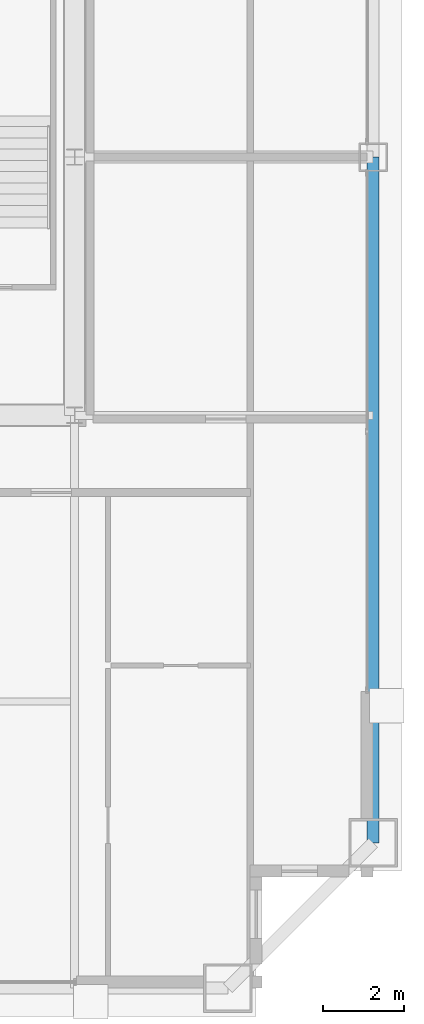
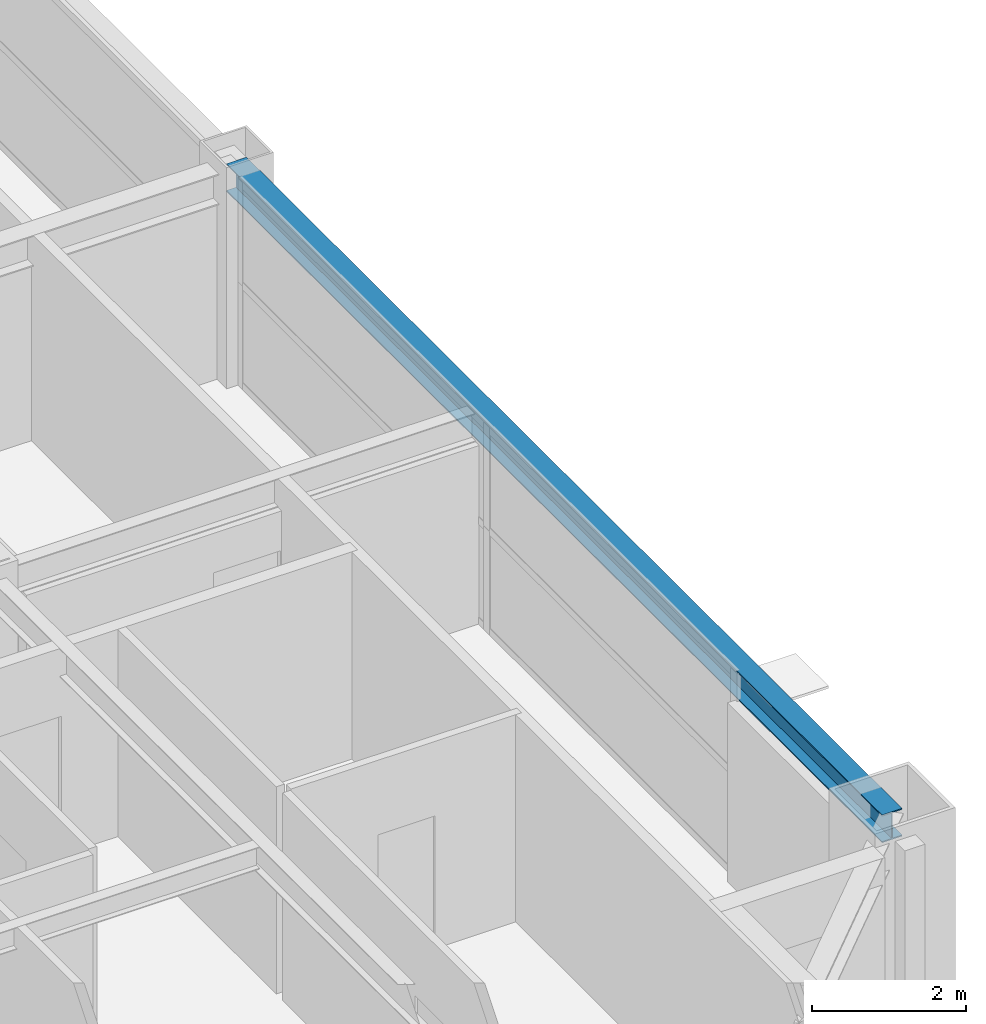
# One storey, part 18 of 37: 1 beam.
"""IFC4 building model written with IfcOpenShell, lengths in metres."""

from ifc_helpers import new_model, si_unit, direction, frame, origin, origin_2d, place, context, subcontext, project, spatial, i_section, extrude, source, transform, mapped, material, material_profile, profile_set, type_object, element, save


model = new_model("IFC4")

# Units and contexts
model_context = context("Model", 3, precision=1e-05, world=origin(), true_north=direction((0.0, 1.0)))
body_context = subcontext(model_context, "Body", "Model", "MODEL_VIEW")
ifc_project = project(units=[si_unit("LENGTHUNIT", "METRE"), si_unit("AREAUNIT", "SQUARE_METRE"), si_unit("VOLUMEUNIT", "CUBIC_METRE"), si_unit("PLANEANGLEUNIT", "RADIAN"), si_unit("MASSUNIT", "GRAM", prefix="KILO"), si_unit("THERMODYNAMICTEMPERATUREUNIT", "KELVIN"), si_unit("POWERUNIT", "WATT")], contexts=[model_context])

# Site, building, storey
site_placement = place(None, origin())
site = spatial("IfcSite", under=ifc_project, at=site_placement, CompositionType="ELEMENT")
building_placement = place(site_placement, origin())
building = spatial("IfcBuilding", under=site, at=building_placement, Name="Yuzanri Waterfront Tower", CompositionType="ELEMENT")
storey_placement = place(building_placement, frame((0.0, 0.0, 252.10009765625)))
storey = spatial("IfcBuildingStorey", under=building, at=storey_placement, Name="L67", CompositionType="ELEMENT", Elevation=252.10009765625)

# Beam
ifc_material = material(Name="Steel Q355B", Category="steel")
ifc_material_profile = material_profile(ifc_material, i_section(OverallWidth=0.300048828125, OverallDepth=0.43994140625, WebThickness=0.010986328125, FlangeThickness=0.01806640625, at=origin_2d()), Name="HM 440x300x11x18")
ifc_profile_set = profile_set([ifc_material_profile], Name="Steel Q355B")
beam_type = type_object("IfcBeamType", Name="Perimeter Spandrel Q355B HM 440x300", PredefinedType="SPANDREL", material=ifc_profile_set)
shared_shape = source(origin(), body_context, "Body", "SweptSolid", [
    extrude(i_section(OverallWidth=0.300048828125, OverallDepth=0.43994140625, WebThickness=0.010986328125, FlangeThickness=0.01806640625, at=origin_2d()), origin(), (0.0, 0.0, 1.0), 17.0),
])
beam_placement = place(storey_placement, frame((57.60009765625, 8.800048828125, 3.059814453125), z_axis=(0.0, 1.0, 0.0), x_axis=(-1.0, 0.0, 0.0)))
element("IfcBeam", 1, at=beam_placement, inside=storey, type_object=beam_type, Name="L67 Perimeter Spandrel E1-E2", PredefinedType="SPANDREL", context=body_context, shape_type="MappedRepresentation", body=[
    mapped(shared_shape, transform((0.0, 0.0, 0.0), scale=1.0)),
])

save(model, "model.ifc")
